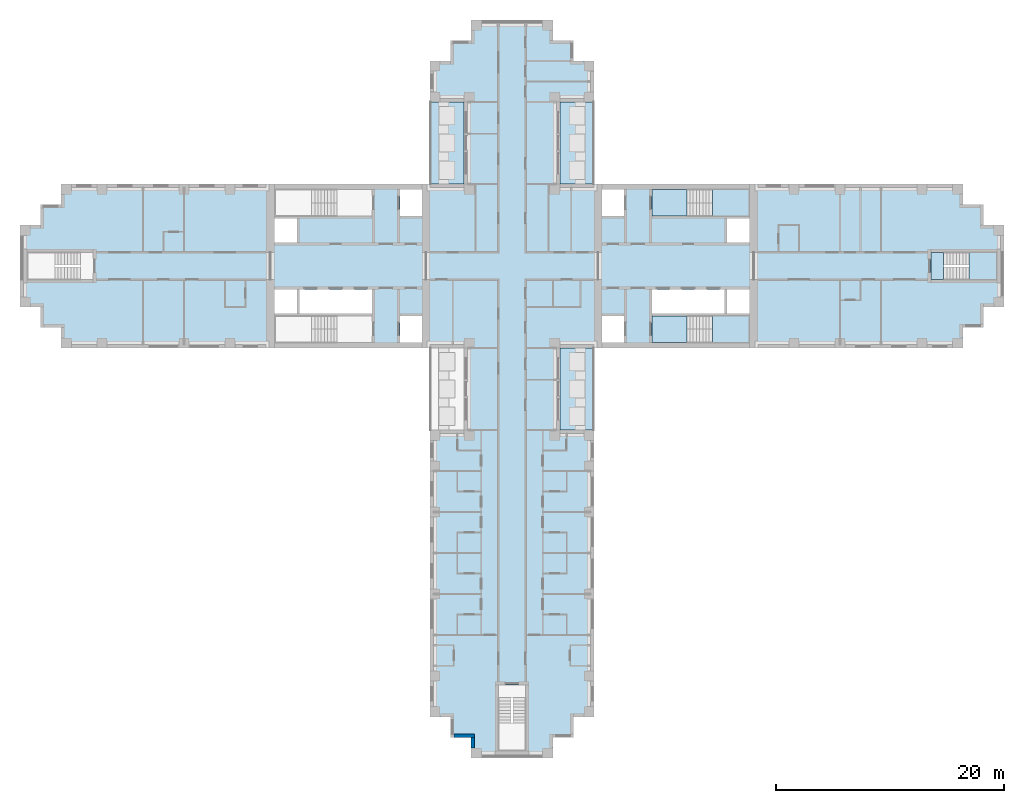
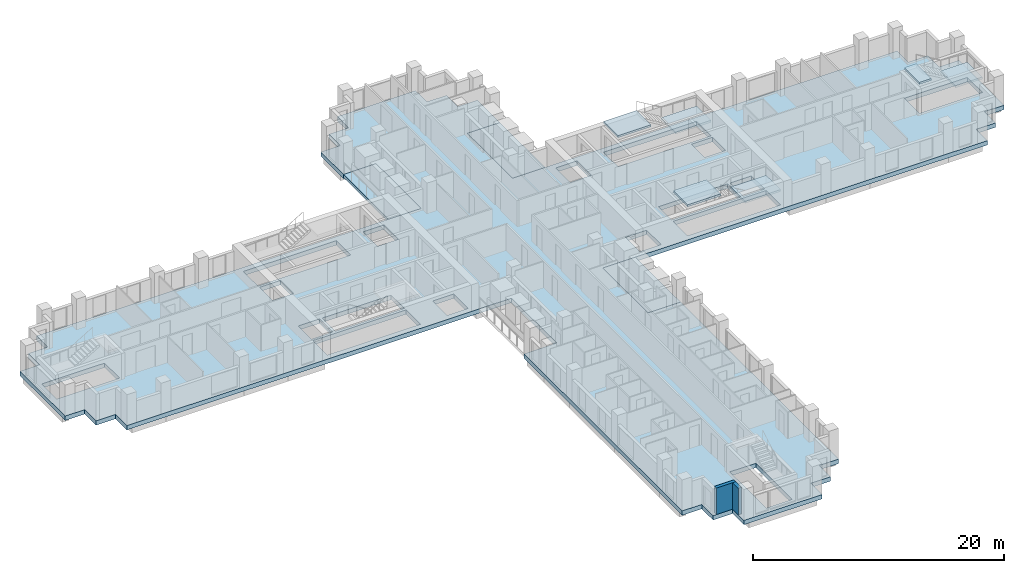
# One storey, part 2 of 14: 10 slabs, 2 walls, 3 elements without a shape of their own.
"""IFC4 building model written with IfcOpenShell, lengths in metres."""

from ifc_helpers import new_model, si_unit, direction, frame, frame_2d, origin, place, context, subcontext, project, spatial, polyline, rectangle, outline, extrude, material, layer, layer_set, type_object, element, aggregate, save


model = new_model("IFC4")

# Units and contexts
model_context = context("Model", 3, precision=1e-05, world=origin(), true_north=direction((0.0, 1.0)))
body_context = subcontext(model_context, "Body", "Model", "MODEL_VIEW")
ifc_project = project(units=[si_unit("LENGTHUNIT", "METRE"), si_unit("AREAUNIT", "SQUARE_METRE"), si_unit("VOLUMEUNIT", "CUBIC_METRE"), si_unit("PLANEANGLEUNIT", "RADIAN"), si_unit("MASSUNIT", "GRAM", prefix="KILO")], contexts=[model_context])

# Site, building, storey
site_placement = place(None, origin())
site = spatial("IfcSite", under=ifc_project, at=site_placement, CompositionType="ELEMENT")
building_placement = place(site_placement, origin())
building = spatial("IfcBuilding", under=site, at=building_placement, Name="Fustian Cross Tower", CompositionType="ELEMENT")
storey_placement = place(building_placement, frame((0.0, 0.0, 93.89990234375)))
storey = spatial("IfcBuildingStorey", under=building, at=storey_placement, Name="L29", CompositionType="ELEMENT", Elevation=93.89990234375)

# Slabs
ifc_material_1 = material(Name="Concrete C40/50", Category="concrete")
ifc_layer_1 = layer(ifc_material_1, 0.300048828125)
ifc_layer_set_1 = layer_set([ifc_layer_1], Name="Concrete C40/50")
slab_type_1 = type_object("IfcSlabType", Name="BS1 BALCONY SLAB 300", PredefinedType="FLOOR", material=ifc_layer_set_1)
slab_1_placement = place(storey_placement, frame((0.0, 0.0, -0.2998046875)))
element("IfcSlab", 1, at=slab_1_placement, inside=storey, type_object=slab_type_1, Name="Balcony slab", PredefinedType="FLOOR", context=body_context, shape_type="SweptSolid", body=[
    extrude(outline(polyline([(4.199951171875, 7.199951171875), (7.199951171875, 7.199951171875), (7.199951171875, 14.39990234375), (4.199951171875, 14.39990234375), (4.199951171875, 7.199951171875)])), origin(), (0.0, 0.0, 1.0), 0.2998046875),
])
slab_2_placement = place(storey_placement, frame((0.0, 0.0, -0.2998046875)))
element("IfcSlab", 2, at=slab_2_placement, inside=storey, type_object=slab_type_1, Name="Balcony slab", PredefinedType="FLOOR", context=body_context, shape_type="SweptSolid", body=[
    extrude(outline(polyline([(-7.199951171875, 7.199951171875), (-4.199951171875, 7.199951171875), (-4.199951171875, 14.39990234375), (-7.199951171875, 14.39990234375), (-7.199951171875, 7.199951171875)])), origin(), (0.0, 0.0, 1.0), 0.2998046875),
])
slab_3_placement = place(storey_placement, frame((0.0, 0.0, -0.2998046875)))
element("IfcSlab", 3, at=slab_3_placement, inside=storey, type_object=slab_type_1, Name="Balcony slab", PredefinedType="FLOOR", context=body_context, shape_type="SweptSolid", body=[
    extrude(outline(polyline([(4.199951171875, -14.39990234375), (7.199951171875, -14.39990234375), (7.199951171875, -7.199951171875), (4.199951171875, -7.199951171875), (4.199951171875, -14.39990234375)])), origin(), (0.0, 0.0, 1.0), 0.2998046875),
])
ifc_material_2 = material(Name="Concrete C40/50", Category="concrete")
ifc_layer_2 = layer(ifc_material_2, 0.425048828125)
ifc_layer_set_2 = layer_set([ifc_layer_2], Name="Concrete C40/50")
slab_type_2 = type_object("IfcSlabType", Name="FLAT SLAB 425", PredefinedType="FLOOR", material=ifc_layer_set_2)
slab_4_placement = place(storey_placement, frame((0.0, 0.0, -0.4248046875)))
element("IfcSlab", 4, at=slab_4_placement, inside=storey, type_object=slab_type_2, Name="FLOOR SLAB L29-1", PredefinedType="FLOOR", context=body_context, shape_type="SweptSolid", body=[
    extrude(outline(polyline([(-4.199951171875, -7.199951171875), (-39.60009765625, -7.199951171875), (-39.60009765625, -5.39990234375), (-41.39990234375, -5.39990234375), (-41.39990234375, -3.60009765625), (-43.199951171875, -3.60009765625), (-43.199951171875, 3.60009765625), (-41.39990234375, 3.60009765625), (-41.39990234375, 5.39990234375), (-39.60009765625, 5.39990234375), (-39.60009765625, 7.199951171875), (-4.199951171875, 7.199951171875), (-4.199951171875, 14.39990234375), (-7.199951171875, 14.39990234375), (-7.199951171875, 18.0), (-5.39990234375, 18.0), (-5.39990234375, 19.800048828125), (-3.60009765625, 19.800048828125), (-3.60009765625, 21.60009765625), (3.60009765625, 21.60009765625), (3.60009765625, 19.800048828125), (5.39990234375, 19.800048828125), (5.39990234375, 18.0), (7.199951171875, 18.0), (7.199951171875, 14.39990234375), (4.199951171875, 14.39990234375), (4.199951171875, 7.199951171875), (39.60009765625, 7.199951171875), (39.60009765625, 5.39990234375), (41.39990234375, 5.39990234375), (41.39990234375, 3.60009765625), (43.199951171875, 3.60009765625), (43.199951171875, -3.60009765625), (41.39990234375, -3.60009765625), (41.39990234375, -5.39990234375), (39.60009765625, -5.39990234375), (39.60009765625, -7.199951171875), (4.199951171875, -7.199951171875), (4.199951171875, -14.39990234375), (7.199951171875, -14.39990234375), (7.199951171875, -39.60009765625), (5.39990234375, -39.60009765625), (5.39990234375, -41.39990234375), (3.60009765625, -41.39990234375), (3.60009765625, -43.199951171875), (-3.60009765625, -43.199951171875), (-3.60009765625, -41.39990234375), (-5.39990234375, -41.39990234375), (-5.39990234375, -39.60009765625), (-7.199951171875, -39.60009765625), (-7.199951171875, -14.39990234375), (-4.199951171875, -14.39990234375), (-4.199951171875, -7.199951171875)]), holes=[polyline([(20.85009765625, -2.050048828125), (18.89990234375, -2.050048828125), (18.89990234375, -4.14990234375), (20.85009765625, -4.14990234375), (20.85009765625, -2.050048828125)]), polyline([(20.85009765625, 2.050048828125), (20.85009765625, 4.14990234375), (18.89990234375, 4.14990234375), (18.89990234375, 2.050048828125), (20.85009765625, 2.050048828125)]), polyline([(7.89990234375, 4.39990234375), (9.85009765625, 4.39990234375), (9.85009765625, 6.699951171875), (7.89990234375, 6.699951171875), (7.89990234375, 4.39990234375)]), polyline([(7.89990234375, -4.39990234375), (7.89990234375, -6.699951171875), (9.85009765625, -6.699951171875), (9.85009765625, -4.39990234375), (7.89990234375, -4.39990234375)]), polyline([(-18.89990234375, -2.050048828125), (-20.85009765625, -2.050048828125), (-20.85009765625, -4.14990234375), (-18.89990234375, -4.14990234375), (-18.89990234375, -2.050048828125)]), polyline([(-18.89990234375, 2.050048828125), (-18.89990234375, 4.14990234375), (-20.85009765625, 4.14990234375), (-20.85009765625, 2.050048828125), (-18.89990234375, 2.050048828125)]), polyline([(-9.85009765625, 4.39990234375), (-7.89990234375, 4.39990234375), (-7.89990234375, 6.699951171875), (-9.85009765625, 6.699951171875), (-9.85009765625, 4.39990234375)]), polyline([(-9.85009765625, -4.39990234375), (-9.85009765625, -6.699951171875), (-7.89990234375, -6.699951171875), (-7.89990234375, -4.39990234375), (-9.85009765625, -4.39990234375)]), polyline([(18.64990234375, -2.050048828125), (12.300048828125, -2.050048828125), (12.300048828125, -4.14990234375), (18.64990234375, -4.14990234375), (18.64990234375, -2.050048828125)]), polyline([(-12.300048828125, -4.14990234375), (-12.300048828125, -2.050048828125), (-18.64990234375, -2.050048828125), (-18.64990234375, -4.14990234375), (-12.300048828125, -4.14990234375)]), polyline([(12.300048828125, 4.39990234375), (20.85009765625, 4.39990234375), (20.85009765625, 6.699951171875), (12.300048828125, 6.699951171875), (12.300048828125, 4.39990234375)]), polyline([(12.300048828125, -4.39990234375), (12.300048828125, -6.699951171875), (20.85009765625, -6.699951171875), (20.85009765625, -4.39990234375), (12.300048828125, -4.39990234375)]), polyline([(-12.300048828125, 6.699951171875), (-20.85009765625, 6.699951171875), (-20.85009765625, 4.39990234375), (-12.300048828125, 4.39990234375), (-12.300048828125, 6.699951171875)]), polyline([(-12.300048828125, -6.699951171875), (-12.300048828125, -4.39990234375), (-20.85009765625, -4.39990234375), (-20.85009765625, -6.699951171875), (-12.300048828125, -6.699951171875)]), polyline([(-1.199951171875, -42.60009765625), (1.199951171875, -42.60009765625), (1.199951171875, -36.800048828125), (-1.199951171875, -36.800048828125), (-1.199951171875, -42.60009765625)]), polyline([(36.800048828125, 1.199951171875), (36.800048828125, -1.199951171875), (42.60009765625, -1.199951171875), (42.60009765625, 1.199951171875), (36.800048828125, 1.199951171875)]), polyline([(-36.800048828125, 1.199951171875), (-42.60009765625, 1.199951171875), (-42.60009765625, -1.199951171875), (-36.800048828125, -1.199951171875), (-36.800048828125, 1.199951171875)])]), origin(), (0.0, 0.0, 1.0), 0.4248046875),
])

# Stair, slabs
ifc_material_3 = material(Name="Concrete C50/60", Category="concrete")
stair_type_1 = type_object("IfcStairType", Name="STAIR 1150 HALF TURN", PredefinedType="HALF_TURN_STAIR", material=ifc_material_3)
stair_1_placement = place(storey_placement, origin())
stair_1 = element("IfcStair", 5, at=stair_1_placement, inside=storey, type_object=stair_type_1, Name="Stair ST1", PredefinedType="HALF_TURN_STAIR")
ifc_material_4 = material(Name="Concrete C50/60", Category="concrete")
ifc_layer_3 = layer(ifc_material_4, 0.199951171875)
ifc_layer_set_3 = layer_set([ifc_layer_3], Name="Concrete C50/60")
slab_type_3 = type_object("IfcSlabType", Name="STAIR LANDING", PredefinedType="LANDING", material=ifc_layer_set_3)
slab_5_placement = place(storey_placement, frame((0.0, 0.0, 1.300048828125)))
slab_5 = element("IfcSlab", 6, at=slab_5_placement, type_object=slab_type_3, Name="ST1 landing 1", PredefinedType="LANDING", context=body_context, shape_type="SweptSolid", body=[
    extrude(outline(polyline([(17.590087890625, 4.39990234375), (20.85009765625, 4.39990234375), (20.85009765625, 6.699951171875), (17.590087890625, 6.699951171875), (17.590087890625, 4.39990234375)])), origin(), (0.0, 0.0, 1.0), 0.199951171875),
])
slab_6_placement = place(storey_placement, frame((0.0, 0.0, 2.800048828125)))
slab_6 = element("IfcSlab", 7, at=slab_6_placement, type_object=slab_type_3, Name="ST1 landing 2", PredefinedType="LANDING", context=body_context, shape_type="SweptSolid", body=[
    extrude(outline(polyline([(12.300048828125, 4.39990234375), (15.35009765625, 4.39990234375), (15.35009765625, 6.699951171875), (12.300048828125, 6.699951171875), (12.300048828125, 4.39990234375)])), origin(), (0.0, 0.0, 1.0), 0.199951171875),
])
aggregate(stair_1, [slab_5, slab_6])

stair_2_placement = place(storey_placement, origin())
stair_2 = element("IfcStair", 8, at=stair_2_placement, inside=storey, type_object=stair_type_1, Name="Stair ST2", PredefinedType="HALF_TURN_STAIR")
slab_7_placement = place(storey_placement, frame((0.0, 0.0, 1.300048828125)))
slab_7 = element("IfcSlab", 9, at=slab_7_placement, type_object=slab_type_3, Name="ST2 landing 1", PredefinedType="LANDING", context=body_context, shape_type="SweptSolid", body=[
    extrude(outline(polyline([(17.590087890625, -4.39990234375), (20.85009765625, -4.39990234375), (20.85009765625, -6.699951171875), (17.590087890625, -6.699951171875), (17.590087890625, -4.39990234375)])), origin(), (0.0, 0.0, 1.0), 0.199951171875),
])
slab_8_placement = place(storey_placement, frame((0.0, 0.0, 2.800048828125)))
slab_8 = element("IfcSlab", 10, at=slab_8_placement, type_object=slab_type_3, Name="ST2 landing 2", PredefinedType="LANDING", context=body_context, shape_type="SweptSolid", body=[
    extrude(outline(polyline([(12.300048828125, -4.39990234375), (15.35009765625, -4.39990234375), (15.35009765625, -6.699951171875), (12.300048828125, -6.699951171875), (12.300048828125, -4.39990234375)])), origin(), (0.0, 0.0, 1.0), 0.199951171875),
])
aggregate(stair_2, [slab_7, slab_8])

ifc_material_5 = material(Name="Concrete C50/60", Category="concrete")
stair_type_2 = type_object("IfcStairType", Name="STAIR 1100 HALF TURN", PredefinedType="HALF_TURN_STAIR", material=ifc_material_5)
stair_3_placement = place(storey_placement, origin())
stair_3 = element("IfcStair", 11, at=stair_3_placement, inside=storey, type_object=stair_type_2, Name="Stair ST8", PredefinedType="HALF_TURN_STAIR")
slab_9_placement = place(storey_placement, frame((0.0, 0.0, 1.300048828125)))
slab_9 = element("IfcSlab", 12, at=slab_9_placement, type_object=slab_type_3, Name="ST8 landing 1", PredefinedType="LANDING", context=body_context, shape_type="SweptSolid", body=[
    extrude(outline(polyline([(40.139892578125, -1.199951171875), (42.60009765625, -1.199951171875), (42.60009765625, 1.199951171875), (40.139892578125, 1.199951171875), (40.139892578125, -1.199951171875)])), origin(), (0.0, 0.0, 1.0), 0.199951171875),
])
slab_10_placement = place(storey_placement, frame((0.0, 0.0, 2.800048828125)))
slab_10 = element("IfcSlab", 13, at=slab_10_placement, type_object=slab_type_3, Name="ST8 landing 2", PredefinedType="LANDING", context=body_context, shape_type="SweptSolid", body=[
    extrude(outline(polyline([(36.800048828125, -1.199951171875), (37.89990234375, -1.199951171875), (37.89990234375, 1.199951171875), (36.800048828125, 1.199951171875), (36.800048828125, -1.199951171875)])), origin(), (0.0, 0.0, 1.0), 0.199951171875),
])
aggregate(stair_3, [slab_9, slab_10])

# Walls
ifc_material_6 = material(Name="Dark aluminium cladding on insulated backing wall", Category="aluminium")
ifc_layer_4 = layer(ifc_material_6, 0.300048828125)
ifc_layer_set_4 = layer_set([ifc_layer_4], Name="Dark aluminium cladding on insulated backing wall")
wall_type = type_object("IfcWallType", Name="XW1 EXTERNAL WALL 300", PredefinedType="SOLIDWALL", material=ifc_layer_set_4)
wall_1_placement = place(storey_placement, frame((-5.10009765625, -41.25, 0.0), z_axis=(0.0, 0.0, 1.0), x_axis=(1.0, 0.0, 0.0)))
element("IfcWall", 14, at=wall_1_placement, inside=storey, type_object=wall_type, Name="External wall", PredefinedType="SOLIDWALL", context=body_context, shape_type="SweptSolid", body=[
    extrude(rectangle(XDim=1.800048828125, YDim=0.300048828125, at=frame_2d((0.89990234375, 0.0))), origin(), (0.0, 0.0, 1.0), 2.5751953125),
])
wall_2_placement = place(storey_placement, frame((-3.449951171875, -41.39990234375, 0.0), z_axis=(0.0, 0.0, 1.0), x_axis=(0.0, -1.0, 0.0)))
element("IfcWall", 15, at=wall_2_placement, inside=storey, type_object=wall_type, Name="External wall", PredefinedType="SOLIDWALL", context=body_context, shape_type="SweptSolid", body=[
    extrude(rectangle(XDim=0.900146484375, YDim=0.300048828125, at=frame_2d((0.4501953125, 0.0))), origin(), (0.0, 0.0, 1.0), 2.5751953125),
])

save(model, "model.ifc")
